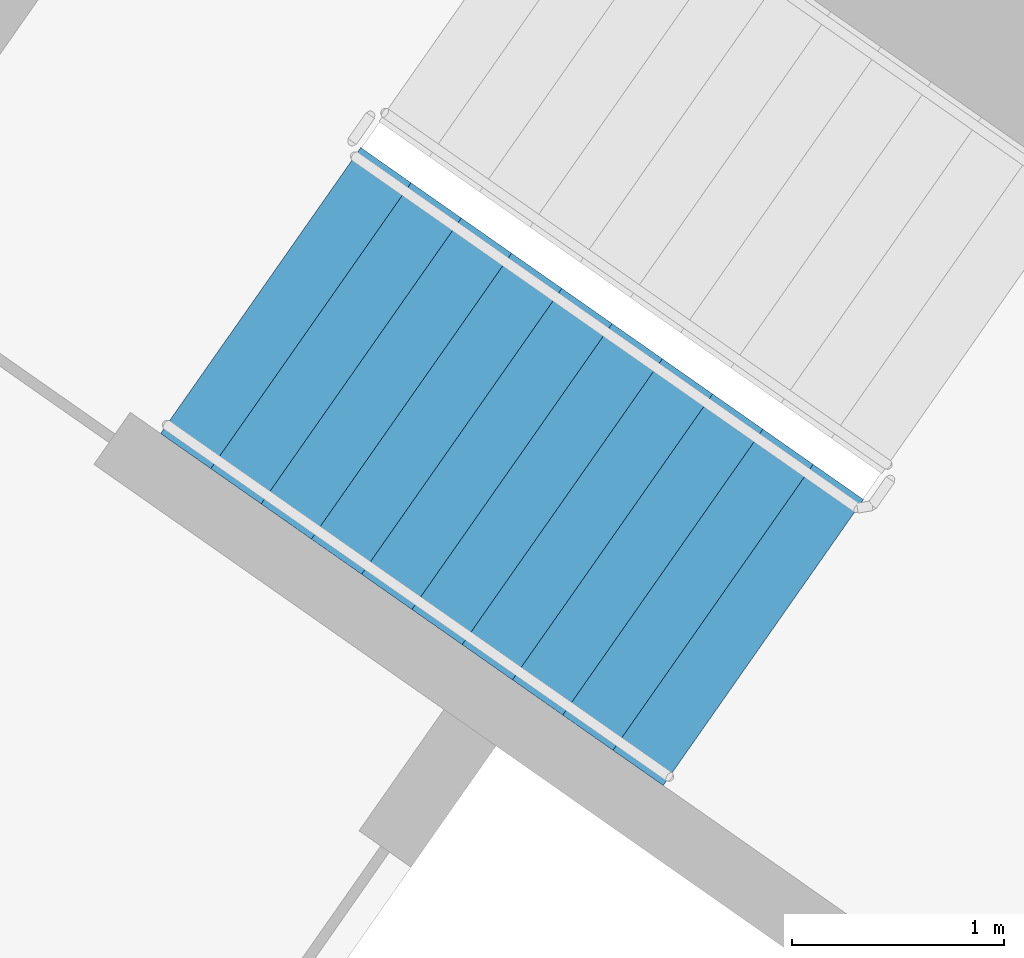
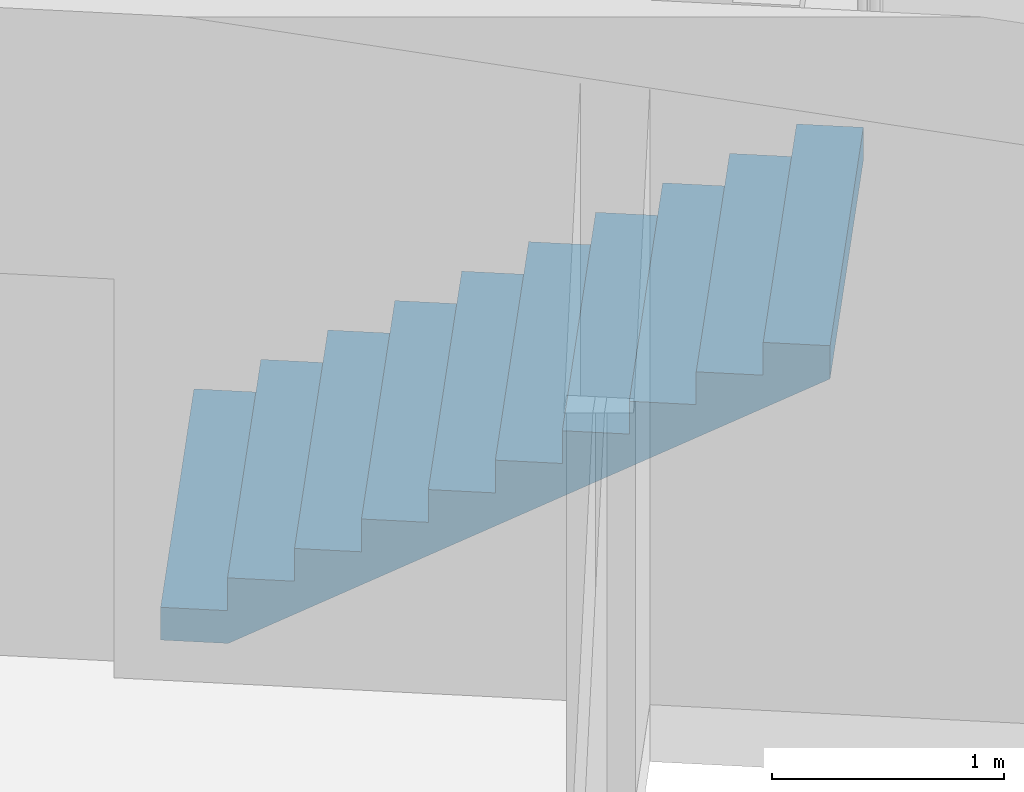
# One storey, part 11 of 29: 1 stair flight, 1 element without a shape of its own.
"""IFC4 building model written with IfcOpenShell, lengths in metres."""

from ifc_helpers import new_model, si_unit, direction, frame, origin, place, context, subcontext, project, spatial, faceted_brep, material, type_object, element, aggregate, save


model = new_model("IFC4")

# Units and contexts
model_context = context("Model", 3, precision=1e-05, world=origin(), true_north=direction((0.0, 1.0)))
body_context = subcontext(model_context, "Body", "Model", "MODEL_VIEW")
ifc_project = project(units=[si_unit("LENGTHUNIT", "METRE"), si_unit("AREAUNIT", "SQUARE_METRE"), si_unit("VOLUMEUNIT", "CUBIC_METRE"), si_unit("PLANEANGLEUNIT", "RADIAN"), si_unit("MASSUNIT", "GRAM", prefix="KILO")], contexts=[model_context])

# Site, building, storey
site_placement = place(None, origin())
site = spatial("IfcSite", under=ifc_project, at=site_placement, CompositionType="ELEMENT")
building_placement = place(site_placement, origin())
building = spatial("IfcBuilding", under=site, at=building_placement, Name="Qamariyya Broadcast Tower", CompositionType="ELEMENT")
storey_placement = place(building_placement, frame((0.0, 0.0, 207.5)))
storey = spatial("IfcBuildingStorey", under=building, at=storey_placement, Name="L49", CompositionType="ELEMENT", Elevation=207.5)

# Stair, stair flight
ifc_material = material(Name="Concrete C50/60", Category="concrete")
stair_type = type_object("IfcStairType", Name="Exit stair 22 risers of 173 mm", PredefinedType="HALF_TURN_STAIR", material=ifc_material)
stair_placement = place(storey_placement, origin())
stair = element("IfcStair", 1, at=stair_placement, inside=storey, type_object=stair_type, Name="L49 Stair W2", PredefinedType="HALF_TURN_STAIR")
stair_flight_type = type_object("IfcStairFlightType", Name="Exit stair flight 11 risers of 173 mm", PredefinedType="STRAIGHT", material=ifc_material)
stair_flight_placement = place(storey_placement, frame((-41.59130859375, -49.15966796875, 0.0), z_axis=(0.0, 0.0, 1.0), x_axis=(0.819152044289, -0.573576436351, 0.0)))
stair_flight = element("IfcStairFlight", 2, at=stair_flight_placement, type_object=stair_flight_type, Name="ST-W2 flight 1", NumberOfRisers=11, NumberOfTreads=10, PredefinedType="STRAIGHT", RiserHeight=0.172727273, TreadLength=0.29, context=body_context, shape_type="Brep", body=[
    faceted_brep([(0.0, 0.824951171875, 0.0), (0.0, 0.824951171875, 0.172607421875), (0.2900390625, 0.824951171875, 0.172607421875), (0.2900390625, 0.824951171875, 0.345458984375), (0.580078125, 0.824951171875, 0.345458984375), (0.580078125, 0.824951171875, 0.51806640625), (0.8701171875, 0.824951171875, 0.51806640625), (0.8701171875, 0.824951171875, 0.69091796875), (1.159912109375, 0.824951171875, 0.69091796875), (1.159912109375, 0.824951171875, 0.863525390625), (1.449951171875, 0.824951171875, 0.863525390625), (1.449951171875, 0.824951171875, 1.036376953125), (1.739990234375, 0.824951171875, 1.036376953125), (1.739990234375, 0.824951171875, 1.208984375), (2.030029296875, 0.824951171875, 1.208984375), (2.030029296875, 0.824951171875, 1.3818359375), (2.320068359375, 0.824951171875, 1.3818359375), (2.320068359375, 0.824951171875, 1.554443359375), (2.610107421875, 0.824951171875, 1.554443359375), (2.610107421875, 0.824951171875, 1.727294921875), (2.89990234375, 0.824951171875, 1.727294921875), (2.89990234375, 0.824951171875, 1.552734375), (0.29296875, 0.824951171875, 0.0), (0.29296875, -0.824951171875, 0.0), (2.89990234375, -0.824951171875, 1.552734375), (2.89990234375, -0.824951171875, 1.727294921875), (2.610107421875, -0.824951171875, 1.727294921875), (2.610107421875, -0.824951171875, 1.554443359375), (2.320068359375, -0.824951171875, 1.554443359375), (2.320068359375, -0.824951171875, 1.3818359375), (2.030029296875, -0.824951171875, 1.3818359375), (2.030029296875, -0.824951171875, 1.208984375), (1.739990234375, -0.824951171875, 1.208984375), (1.739990234375, -0.824951171875, 1.036376953125), (1.449951171875, -0.824951171875, 1.036376953125), (1.449951171875, -0.824951171875, 0.863525390625), (1.159912109375, -0.824951171875, 0.863525390625), (1.159912109375, -0.824951171875, 0.69091796875), (0.8701171875, -0.824951171875, 0.69091796875), (0.8701171875, -0.824951171875, 0.51806640625), (0.580078125, -0.824951171875, 0.51806640625), (0.580078125, -0.824951171875, 0.345458984375), (0.2900390625, -0.824951171875, 0.345458984375), (0.2900390625, -0.824951171875, 0.172607421875), (0.0, -0.824951171875, 0.172607421875), (0.0, -0.824951171875, 0.0), (0.0, 0.10009765625, 0.0), (0.0, 0.086669921875, 0.0), (0.0, 0.0732421875, 0.0), (0.0, 0.06005859375, 0.0), (0.0, 0.046630859375, 0.0), (0.0, 0.033447265625, 0.0), (0.0, 0.02001953125, 0.0), (0.0, 0.006591796875, 0.0), (0.0, -0.006591796875, 0.0), (0.0, -0.02001953125, 0.0), (0.0, -0.033447265625, 0.0), (0.0, -0.046630859375, 0.0), (0.0, -0.06005859375, 0.0), (0.0, -0.0732421875, 0.0), (0.0, -0.086669921875, 0.0), (0.0, -0.10009765625, 0.0), (0.0, -0.10009765625, 0.172607421875), (0.0, -0.086669921875, 0.172607421875), (0.0, -0.0732421875, 0.172607421875), (0.0, -0.06005859375, 0.172607421875), (0.0, -0.046630859375, 0.172607421875), (0.0, -0.033447265625, 0.172607421875), (0.0, -0.02001953125, 0.172607421875), (0.0, -0.006591796875, 0.172607421875), (0.0, 0.006591796875, 0.172607421875), (0.0, 0.02001953125, 0.172607421875), (0.0, 0.033447265625, 0.172607421875), (0.0, 0.046630859375, 0.172607421875), (0.0, 0.06005859375, 0.172607421875), (0.0, 0.0732421875, 0.172607421875), (0.0, 0.086669921875, 0.172607421875), (0.0, 0.10009765625, 0.172607421875), (0.2900390625, -0.10009765625, 0.172607421875), (0.2900390625, -0.086669921875, 0.172607421875), (0.2900390625, -0.0732421875, 0.172607421875), (0.2900390625, -0.06005859375, 0.172607421875), (0.2900390625, -0.046630859375, 0.172607421875), (0.2900390625, -0.033447265625, 0.172607421875), (0.2900390625, -0.02001953125, 0.172607421875), (0.2900390625, -0.006591796875, 0.172607421875), (0.2900390625, 0.006591796875, 0.172607421875), (0.2900390625, 0.02001953125, 0.172607421875), (0.2900390625, 0.033447265625, 0.172607421875), (0.2900390625, 0.046630859375, 0.172607421875), (0.2900390625, 0.06005859375, 0.172607421875), (0.2900390625, 0.0732421875, 0.172607421875), (0.2900390625, 0.086669921875, 0.172607421875), (0.2900390625, 0.10009765625, 0.172607421875), (0.2900390625, -0.10009765625, 0.345458984375), (0.2900390625, -0.086669921875, 0.345458984375), (0.2900390625, -0.0732421875, 0.345458984375), (0.2900390625, -0.06005859375, 0.345458984375), (0.2900390625, -0.046630859375, 0.345458984375), (0.2900390625, -0.033447265625, 0.345458984375), (0.2900390625, -0.02001953125, 0.345458984375), (0.2900390625, -0.006591796875, 0.345458984375), (0.2900390625, 0.006591796875, 0.345458984375), (0.2900390625, 0.02001953125, 0.345458984375), (0.2900390625, 0.033447265625, 0.345458984375), (0.2900390625, 0.046630859375, 0.345458984375), (0.2900390625, 0.06005859375, 0.345458984375), (0.2900390625, 0.0732421875, 0.345458984375), (0.2900390625, 0.086669921875, 0.345458984375), (0.2900390625, 0.10009765625, 0.345458984375), (0.580078125, -0.10009765625, 0.345458984375), (0.580078125, -0.086669921875, 0.345458984375), (0.580078125, -0.0732421875, 0.345458984375), (0.580078125, -0.06005859375, 0.345458984375), (0.580078125, -0.046630859375, 0.345458984375), (0.580078125, -0.033447265625, 0.345458984375), (0.580078125, -0.02001953125, 0.345458984375), (0.580078125, -0.006591796875, 0.345458984375), (0.580078125, 0.006591796875, 0.345458984375), (0.580078125, 0.02001953125, 0.345458984375), (0.580078125, 0.033447265625, 0.345458984375), (0.580078125, 0.046630859375, 0.345458984375), (0.580078125, 0.06005859375, 0.345458984375), (0.580078125, 0.0732421875, 0.345458984375), (0.580078125, 0.086669921875, 0.345458984375), (0.580078125, 0.10009765625, 0.345458984375), (0.580078125, -0.10009765625, 0.51806640625), (0.580078125, -0.086669921875, 0.51806640625), (0.580078125, -0.0732421875, 0.51806640625), (0.580078125, -0.06005859375, 0.51806640625), (0.580078125, -0.046630859375, 0.51806640625), (0.580078125, -0.033447265625, 0.51806640625), (0.580078125, -0.02001953125, 0.51806640625), (0.580078125, -0.006591796875, 0.51806640625), (0.580078125, 0.006591796875, 0.51806640625), (0.580078125, 0.02001953125, 0.51806640625), (0.580078125, 0.033447265625, 0.51806640625), (0.580078125, 0.046630859375, 0.51806640625), (0.580078125, 0.06005859375, 0.51806640625), (0.580078125, 0.0732421875, 0.51806640625), (0.580078125, 0.086669921875, 0.51806640625), (0.580078125, 0.10009765625, 0.51806640625), (0.8701171875, -0.10009765625, 0.51806640625), (0.8701171875, -0.086669921875, 0.51806640625), (0.8701171875, -0.0732421875, 0.51806640625), (0.8701171875, -0.06005859375, 0.51806640625), (0.8701171875, -0.046630859375, 0.51806640625), (0.8701171875, -0.033447265625, 0.51806640625), (0.8701171875, -0.02001953125, 0.51806640625), (0.8701171875, -0.006591796875, 0.51806640625), (0.8701171875, 0.006591796875, 0.51806640625), (0.8701171875, 0.02001953125, 0.51806640625), (0.8701171875, 0.033447265625, 0.51806640625), (0.8701171875, 0.046630859375, 0.51806640625), (0.8701171875, 0.06005859375, 0.51806640625), (0.8701171875, 0.0732421875, 0.51806640625), (0.8701171875, 0.086669921875, 0.51806640625), (0.8701171875, 0.10009765625, 0.51806640625), (0.8701171875, -0.10009765625, 0.69091796875), (0.8701171875, -0.086669921875, 0.69091796875), (0.8701171875, -0.0732421875, 0.69091796875), (0.8701171875, -0.06005859375, 0.69091796875), (0.8701171875, -0.046630859375, 0.69091796875), (0.8701171875, -0.033447265625, 0.69091796875), (0.8701171875, -0.02001953125, 0.69091796875), (0.8701171875, -0.006591796875, 0.69091796875), (0.8701171875, 0.006591796875, 0.69091796875), (0.8701171875, 0.02001953125, 0.69091796875), (0.8701171875, 0.033447265625, 0.69091796875), (0.8701171875, 0.046630859375, 0.69091796875), (0.8701171875, 0.06005859375, 0.69091796875), (0.8701171875, 0.0732421875, 0.69091796875), (0.8701171875, 0.086669921875, 0.69091796875), (0.8701171875, 0.10009765625, 0.69091796875), (1.159912109375, -0.10009765625, 0.69091796875), (1.159912109375, -0.086669921875, 0.69091796875), (1.159912109375, -0.0732421875, 0.69091796875), (1.159912109375, -0.06005859375, 0.69091796875), (1.159912109375, -0.046630859375, 0.69091796875), (1.159912109375, -0.033447265625, 0.69091796875), (1.159912109375, -0.02001953125, 0.69091796875), (1.159912109375, -0.006591796875, 0.69091796875), (1.159912109375, 0.006591796875, 0.69091796875), (1.159912109375, 0.02001953125, 0.69091796875), (1.159912109375, 0.033447265625, 0.69091796875), (1.159912109375, 0.046630859375, 0.69091796875), (1.159912109375, 0.06005859375, 0.69091796875), (1.159912109375, 0.0732421875, 0.69091796875), (1.159912109375, 0.086669921875, 0.69091796875), (1.159912109375, 0.10009765625, 0.69091796875), (1.159912109375, -0.10009765625, 0.863525390625), (1.159912109375, -0.086669921875, 0.863525390625), (1.159912109375, -0.0732421875, 0.863525390625), (1.159912109375, -0.06005859375, 0.863525390625), (1.159912109375, -0.046630859375, 0.863525390625), (1.159912109375, -0.033447265625, 0.863525390625), (1.159912109375, -0.02001953125, 0.863525390625), (1.159912109375, -0.006591796875, 0.863525390625), (1.159912109375, 0.006591796875, 0.863525390625), (1.159912109375, 0.02001953125, 0.863525390625), (1.159912109375, 0.033447265625, 0.863525390625), (1.159912109375, 0.046630859375, 0.863525390625), (1.159912109375, 0.06005859375, 0.863525390625), (1.159912109375, 0.0732421875, 0.863525390625), (1.159912109375, 0.086669921875, 0.863525390625), (1.159912109375, 0.10009765625, 0.863525390625), (1.449951171875, -0.10009765625, 0.863525390625), (1.449951171875, -0.086669921875, 0.863525390625), (1.449951171875, -0.0732421875, 0.863525390625), (1.449951171875, -0.06005859375, 0.863525390625), (1.449951171875, -0.046630859375, 0.863525390625), (1.449951171875, -0.033447265625, 0.863525390625), (1.449951171875, -0.02001953125, 0.863525390625), (1.449951171875, -0.006591796875, 0.863525390625), (1.449951171875, 0.006591796875, 0.863525390625), (1.449951171875, 0.02001953125, 0.863525390625), (1.449951171875, 0.033447265625, 0.863525390625), (1.449951171875, 0.046630859375, 0.863525390625), (1.449951171875, 0.06005859375, 0.863525390625), (1.449951171875, 0.0732421875, 0.863525390625), (1.449951171875, 0.086669921875, 0.863525390625), (1.449951171875, 0.10009765625, 0.863525390625), (1.449951171875, -0.10009765625, 1.036376953125), (1.449951171875, -0.086669921875, 1.036376953125), (1.449951171875, -0.0732421875, 1.036376953125), (1.449951171875, -0.06005859375, 1.036376953125), (1.449951171875, -0.046630859375, 1.036376953125), (1.449951171875, -0.033447265625, 1.036376953125), (1.449951171875, -0.02001953125, 1.036376953125), (1.449951171875, -0.006591796875, 1.036376953125), (1.449951171875, 0.006591796875, 1.036376953125), (1.449951171875, 0.02001953125, 1.036376953125), (1.449951171875, 0.033447265625, 1.036376953125), (1.449951171875, 0.046630859375, 1.036376953125), (1.449951171875, 0.06005859375, 1.036376953125), (1.449951171875, 0.0732421875, 1.036376953125), (1.449951171875, 0.086669921875, 1.036376953125), (1.449951171875, 0.10009765625, 1.036376953125), (1.739990234375, -0.10009765625, 1.036376953125), (1.739990234375, -0.086669921875, 1.036376953125), (1.739990234375, -0.0732421875, 1.036376953125), (1.739990234375, -0.06005859375, 1.036376953125), (1.739990234375, -0.046630859375, 1.036376953125), (1.739990234375, -0.033447265625, 1.036376953125), (1.739990234375, -0.02001953125, 1.036376953125), (1.739990234375, -0.006591796875, 1.036376953125), (1.739990234375, 0.006591796875, 1.036376953125), (1.739990234375, 0.02001953125, 1.036376953125), (1.739990234375, 0.033447265625, 1.036376953125), (1.739990234375, 0.046630859375, 1.036376953125), (1.739990234375, 0.06005859375, 1.036376953125), (1.739990234375, 0.0732421875, 1.036376953125), (1.739990234375, 0.086669921875, 1.036376953125), (1.739990234375, 0.10009765625, 1.036376953125), (1.739990234375, -0.10009765625, 1.208984375), (1.739990234375, -0.086669921875, 1.208984375), (1.739990234375, -0.0732421875, 1.208984375), (1.739990234375, -0.06005859375, 1.208984375), (1.739990234375, -0.046630859375, 1.208984375), (1.739990234375, -0.033447265625, 1.208984375), (1.739990234375, -0.02001953125, 1.208984375), (1.739990234375, -0.006591796875, 1.208984375), (1.739990234375, 0.006591796875, 1.208984375), (1.739990234375, 0.02001953125, 1.208984375), (1.739990234375, 0.033447265625, 1.208984375), (1.739990234375, 0.046630859375, 1.208984375), (1.739990234375, 0.06005859375, 1.208984375), (1.739990234375, 0.0732421875, 1.208984375), (1.739990234375, 0.086669921875, 1.208984375), (1.739990234375, 0.10009765625, 1.208984375), (2.030029296875, -0.10009765625, 1.208984375), (2.030029296875, -0.086669921875, 1.208984375), (2.030029296875, -0.0732421875, 1.208984375), (2.030029296875, -0.06005859375, 1.208984375), (2.030029296875, -0.046630859375, 1.208984375), (2.030029296875, -0.033447265625, 1.208984375), (2.030029296875, -0.02001953125, 1.208984375), (2.030029296875, -0.006591796875, 1.208984375), (2.030029296875, 0.006591796875, 1.208984375), (2.030029296875, 0.02001953125, 1.208984375), (2.030029296875, 0.033447265625, 1.208984375), (2.030029296875, 0.046630859375, 1.208984375), (2.030029296875, 0.06005859375, 1.208984375), (2.030029296875, 0.0732421875, 1.208984375), (2.030029296875, 0.086669921875, 1.208984375), (2.030029296875, 0.10009765625, 1.208984375), (2.030029296875, -0.10009765625, 1.3818359375), (2.030029296875, -0.086669921875, 1.3818359375), (2.030029296875, -0.0732421875, 1.3818359375), (2.030029296875, -0.06005859375, 1.3818359375), (2.030029296875, -0.046630859375, 1.3818359375), (2.030029296875, -0.033447265625, 1.3818359375), (2.030029296875, -0.02001953125, 1.3818359375), (2.030029296875, -0.006591796875, 1.3818359375), (2.030029296875, 0.006591796875, 1.3818359375), (2.030029296875, 0.02001953125, 1.3818359375), (2.030029296875, 0.033447265625, 1.3818359375), (2.030029296875, 0.046630859375, 1.3818359375), (2.030029296875, 0.06005859375, 1.3818359375), (2.030029296875, 0.0732421875, 1.3818359375), (2.030029296875, 0.086669921875, 1.3818359375), (2.030029296875, 0.10009765625, 1.3818359375), (2.320068359375, -0.10009765625, 1.3818359375), (2.320068359375, -0.086669921875, 1.3818359375), (2.320068359375, -0.0732421875, 1.3818359375), (2.320068359375, -0.06005859375, 1.3818359375), (2.320068359375, -0.046630859375, 1.3818359375), (2.320068359375, -0.033447265625, 1.3818359375), (2.320068359375, -0.02001953125, 1.3818359375), (2.320068359375, -0.006591796875, 1.3818359375), (2.320068359375, 0.006591796875, 1.3818359375), (2.320068359375, 0.02001953125, 1.3818359375), (2.320068359375, 0.033447265625, 1.3818359375), (2.320068359375, 0.046630859375, 1.3818359375), (2.320068359375, 0.06005859375, 1.3818359375), (2.320068359375, 0.0732421875, 1.3818359375), (2.320068359375, 0.086669921875, 1.3818359375), (2.320068359375, 0.10009765625, 1.3818359375), (2.320068359375, -0.10009765625, 1.554443359375), (2.320068359375, -0.086669921875, 1.554443359375), (2.320068359375, -0.0732421875, 1.554443359375), (2.320068359375, -0.06005859375, 1.554443359375), (2.320068359375, -0.046630859375, 1.554443359375), (2.320068359375, -0.033447265625, 1.554443359375), (2.320068359375, -0.02001953125, 1.554443359375), (2.320068359375, -0.006591796875, 1.554443359375), (2.320068359375, 0.006591796875, 1.554443359375), (2.320068359375, 0.02001953125, 1.554443359375), (2.320068359375, 0.033447265625, 1.554443359375), (2.320068359375, 0.046630859375, 1.554443359375), (2.320068359375, 0.06005859375, 1.554443359375), (2.320068359375, 0.0732421875, 1.554443359375), (2.320068359375, 0.086669921875, 1.554443359375), (2.320068359375, 0.10009765625, 1.554443359375), (2.610107421875, -0.10009765625, 1.554443359375), (2.610107421875, -0.086669921875, 1.554443359375), (2.610107421875, -0.0732421875, 1.554443359375), (2.610107421875, -0.06005859375, 1.554443359375), (2.610107421875, -0.046630859375, 1.554443359375), (2.610107421875, -0.033447265625, 1.554443359375), (2.610107421875, -0.02001953125, 1.554443359375), (2.610107421875, -0.006591796875, 1.554443359375), (2.610107421875, 0.006591796875, 1.554443359375), (2.610107421875, 0.02001953125, 1.554443359375), (2.610107421875, 0.033447265625, 1.554443359375), (2.610107421875, 0.046630859375, 1.554443359375), (2.610107421875, 0.06005859375, 1.554443359375), (2.610107421875, 0.0732421875, 1.554443359375), (2.610107421875, 0.086669921875, 1.554443359375), (2.610107421875, 0.10009765625, 1.554443359375), (2.610107421875, -0.10009765625, 1.727294921875), (2.610107421875, -0.086669921875, 1.727294921875), (2.610107421875, -0.0732421875, 1.727294921875), (2.610107421875, -0.06005859375, 1.727294921875), (2.610107421875, -0.046630859375, 1.727294921875), (2.610107421875, -0.033447265625, 1.727294921875), (2.610107421875, -0.02001953125, 1.727294921875), (2.610107421875, -0.006591796875, 1.727294921875), (2.610107421875, 0.006591796875, 1.727294921875), (2.610107421875, 0.02001953125, 1.727294921875), (2.610107421875, 0.033447265625, 1.727294921875), (2.610107421875, 0.046630859375, 1.727294921875), (2.610107421875, 0.06005859375, 1.727294921875), (2.610107421875, 0.0732421875, 1.727294921875), (2.610107421875, 0.086669921875, 1.727294921875), (2.610107421875, 0.10009765625, 1.727294921875), (2.89990234375, -0.10009765625, 1.727294921875), (2.89990234375, -0.086669921875, 1.727294921875), (2.89990234375, -0.0732421875, 1.727294921875), (2.89990234375, -0.06005859375, 1.727294921875), (2.89990234375, -0.046630859375, 1.727294921875), (2.89990234375, -0.033447265625, 1.727294921875), (2.89990234375, -0.02001953125, 1.727294921875), (2.89990234375, -0.006591796875, 1.727294921875), (2.89990234375, 0.006591796875, 1.727294921875), (2.89990234375, 0.02001953125, 1.727294921875), (2.89990234375, 0.033447265625, 1.727294921875), (2.89990234375, 0.046630859375, 1.727294921875), (2.89990234375, 0.06005859375, 1.727294921875), (2.89990234375, 0.0732421875, 1.727294921875), (2.89990234375, 0.086669921875, 1.727294921875), (2.89990234375, 0.10009765625, 1.727294921875), (2.89990234375, -0.10009765625, 1.552734375), (2.89990234375, -0.086669921875, 1.552734375), (2.89990234375, -0.0732421875, 1.552734375), (2.89990234375, -0.06005859375, 1.552734375), (2.89990234375, -0.046630859375, 1.552734375), (2.89990234375, -0.033447265625, 1.552734375), (2.89990234375, -0.02001953125, 1.552734375), (2.89990234375, -0.006591796875, 1.552734375), (2.89990234375, 0.006591796875, 1.552734375), (2.89990234375, 0.02001953125, 1.552734375), (2.89990234375, 0.033447265625, 1.552734375), (2.89990234375, 0.046630859375, 1.552734375), (2.89990234375, 0.06005859375, 1.552734375), (2.89990234375, 0.0732421875, 1.552734375), (2.89990234375, 0.086669921875, 1.552734375), (2.89990234375, 0.10009765625, 1.552734375), (0.29296875, -0.10009765625, 0.0), (0.29296875, -0.086669921875, 0.0), (0.29296875, -0.0732421875, 0.0), (0.29296875, -0.06005859375, 0.0), (0.29296875, -0.046630859375, 0.0), (0.29296875, -0.033447265625, 0.0), (0.29296875, -0.02001953125, 0.0), (0.29296875, -0.006591796875, 0.0), (0.29296875, 0.006591796875, 0.0), (0.29296875, 0.02001953125, 0.0), (0.29296875, 0.033447265625, 0.0), (0.29296875, 0.046630859375, 0.0), (0.29296875, 0.06005859375, 0.0), (0.29296875, 0.0732421875, 0.0), (0.29296875, 0.086669921875, 0.0), (0.29296875, 0.10009765625, 0.0)], [[[0, 1, 2, 3, 4, 5, 6, 7, 8, 9, 10, 11, 12, 13, 14, 15, 16, 17, 18, 19, 20, 21, 22]], [[23, 24, 25, 26, 27, 28, 29, 30, 31, 32, 33, 34, 35, 36, 37, 38, 39, 40, 41, 42, 43, 44, 45]], [[0, 46, 47, 48, 49, 50, 51, 52, 53, 54, 55, 56, 57, 58, 59, 60, 61, 45, 44, 62, 63, 64, 65, 66, 67, 68, 69, 70, 71, 72, 73, 74, 75, 76, 77, 1]], [[1, 77, 76, 75, 74, 73, 72, 71, 70, 69, 68, 67, 66, 65, 64, 63, 62, 44, 43, 78, 79, 80, 81, 82, 83, 84, 85, 86, 87, 88, 89, 90, 91, 92, 93, 2]], [[2, 93, 92, 91, 90, 89, 88, 87, 86, 85, 84, 83, 82, 81, 80, 79, 78, 43, 42, 94, 95, 96, 97, 98, 99, 100, 101, 102, 103, 104, 105, 106, 107, 108, 109, 3]], [[3, 109, 108, 107, 106, 105, 104, 103, 102, 101, 100, 99, 98, 97, 96, 95, 94, 42, 41, 110, 111, 112, 113, 114, 115, 116, 117, 118, 119, 120, 121, 122, 123, 124, 125, 4]], [[4, 125, 124, 123, 122, 121, 120, 119, 118, 117, 116, 115, 114, 113, 112, 111, 110, 41, 40, 126, 127, 128, 129, 130, 131, 132, 133, 134, 135, 136, 137, 138, 139, 140, 141, 5]], [[5, 141, 140, 139, 138, 137, 136, 135, 134, 133, 132, 131, 130, 129, 128, 127, 126, 40, 39, 142, 143, 144, 145, 146, 147, 148, 149, 150, 151, 152, 153, 154, 155, 156, 157, 6]], [[6, 157, 156, 155, 154, 153, 152, 151, 150, 149, 148, 147, 146, 145, 144, 143, 142, 39, 38, 158, 159, 160, 161, 162, 163, 164, 165, 166, 167, 168, 169, 170, 171, 172, 173, 7]], [[7, 173, 172, 171, 170, 169, 168, 167, 166, 165, 164, 163, 162, 161, 160, 159, 158, 38, 37, 174, 175, 176, 177, 178, 179, 180, 181, 182, 183, 184, 185, 186, 187, 188, 189, 8]], [[8, 189, 188, 187, 186, 185, 184, 183, 182, 181, 180, 179, 178, 177, 176, 175, 174, 37, 36, 190, 191, 192, 193, 194, 195, 196, 197, 198, 199, 200, 201, 202, 203, 204, 205, 9]], [[9, 205, 204, 203, 202, 201, 200, 199, 198, 197, 196, 195, 194, 193, 192, 191, 190, 36, 35, 206, 207, 208, 209, 210, 211, 212, 213, 214, 215, 216, 217, 218, 219, 220, 221, 10]], [[10, 221, 220, 219, 218, 217, 216, 215, 214, 213, 212, 211, 210, 209, 208, 207, 206, 35, 34, 222, 223, 224, 225, 226, 227, 228, 229, 230, 231, 232, 233, 234, 235, 236, 237, 11]], [[11, 237, 236, 235, 234, 233, 232, 231, 230, 229, 228, 227, 226, 225, 224, 223, 222, 34, 33, 238, 239, 240, 241, 242, 243, 244, 245, 246, 247, 248, 249, 250, 251, 252, 253, 12]], [[12, 253, 252, 251, 250, 249, 248, 247, 246, 245, 244, 243, 242, 241, 240, 239, 238, 33, 32, 254, 255, 256, 257, 258, 259, 260, 261, 262, 263, 264, 265, 266, 267, 268, 269, 13]], [[13, 269, 268, 267, 266, 265, 264, 263, 262, 261, 260, 259, 258, 257, 256, 255, 254, 32, 31, 270, 271, 272, 273, 274, 275, 276, 277, 278, 279, 280, 281, 282, 283, 284, 285, 14]], [[14, 285, 284, 283, 282, 281, 280, 279, 278, 277, 276, 275, 274, 273, 272, 271, 270, 31, 30, 286, 287, 288, 289, 290, 291, 292, 293, 294, 295, 296, 297, 298, 299, 300, 301, 15]], [[15, 301, 300, 299, 298, 297, 296, 295, 294, 293, 292, 291, 290, 289, 288, 287, 286, 30, 29, 302, 303, 304, 305, 306, 307, 308, 309, 310, 311, 312, 313, 314, 315, 316, 317, 16]], [[16, 317, 316, 315, 314, 313, 312, 311, 310, 309, 308, 307, 306, 305, 304, 303, 302, 29, 28, 318, 319, 320, 321, 322, 323, 324, 325, 326, 327, 328, 329, 330, 331, 332, 333, 17]], [[17, 333, 332, 331, 330, 329, 328, 327, 326, 325, 324, 323, 322, 321, 320, 319, 318, 28, 27, 334, 335, 336, 337, 338, 339, 340, 341, 342, 343, 344, 345, 346, 347, 348, 349, 18]], [[18, 349, 348, 347, 346, 345, 344, 343, 342, 341, 340, 339, 338, 337, 336, 335, 334, 27, 26, 350, 351, 352, 353, 354, 355, 356, 357, 358, 359, 360, 361, 362, 363, 364, 365, 19]], [[19, 365, 364, 363, 362, 361, 360, 359, 358, 357, 356, 355, 354, 353, 352, 351, 350, 26, 25, 366, 367, 368, 369, 370, 371, 372, 373, 374, 375, 376, 377, 378, 379, 380, 381, 20]], [[20, 381, 380, 379, 378, 377, 376, 375, 374, 373, 372, 371, 370, 369, 368, 367, 366, 25, 24, 382, 383, 384, 385, 386, 387, 388, 389, 390, 391, 392, 393, 394, 395, 396, 397, 21]], [[21, 397, 396, 395, 394, 393, 392, 391, 390, 389, 388, 387, 386, 385, 384, 383, 382, 24, 23, 398, 399, 400, 401, 402, 403, 404, 405, 406, 407, 408, 409, 410, 411, 412, 413, 22]], [[22, 413, 412, 411, 410, 409, 408, 407, 406, 405, 404, 403, 402, 401, 400, 399, 398, 23, 45, 61, 60, 59, 58, 57, 56, 55, 54, 53, 52, 51, 50, 49, 48, 47, 46, 0]]]),
])
aggregate(stair, [stair_flight])

save(model, "model.ifc")
